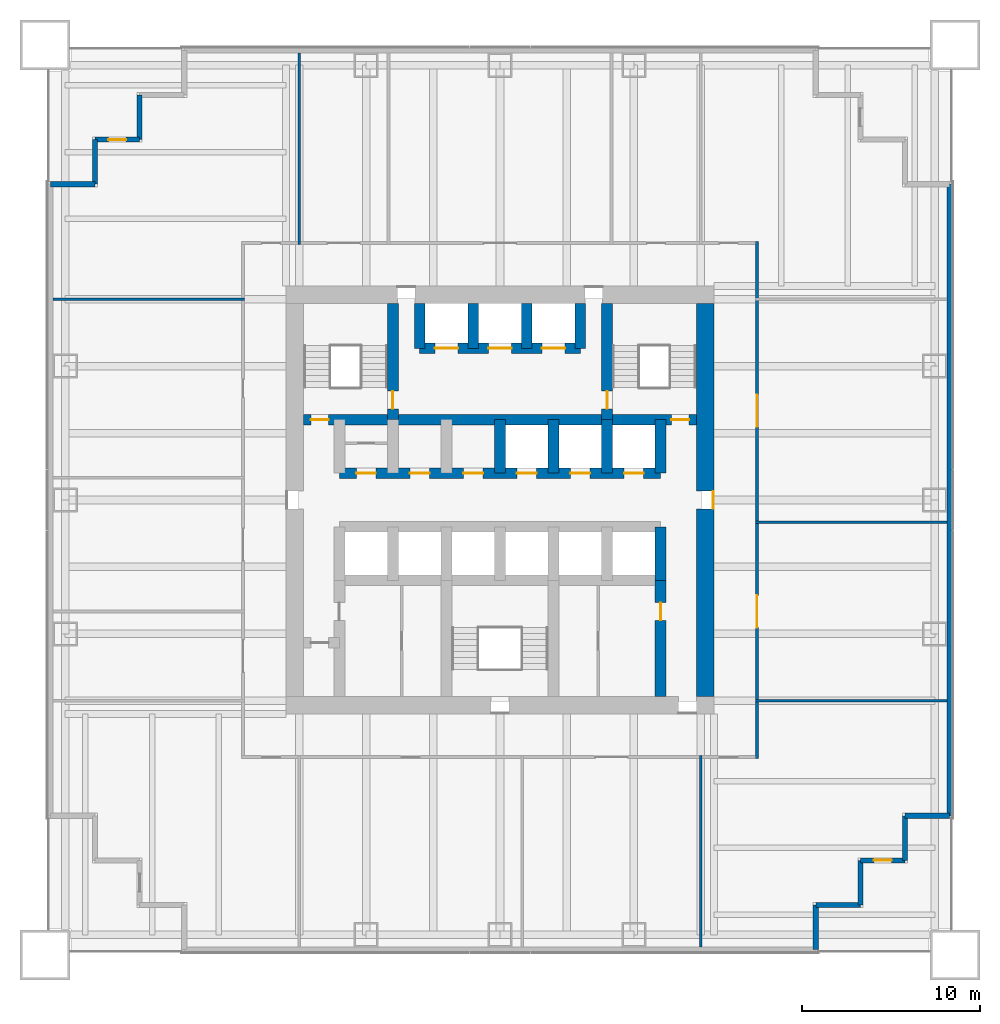
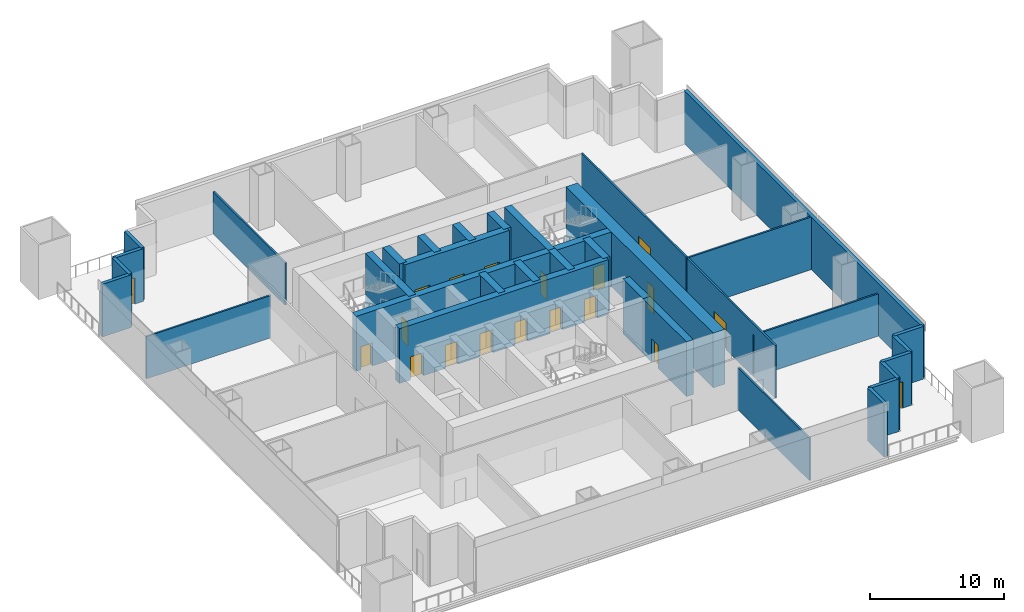
# One storey, part 3 of 6: 33 walls, 19 doors, 19 openings.
"""IFC4 building model written with IfcOpenShell, lengths in metres."""

from ifc_helpers import new_model, si_unit, direction, frame, frame_2d, origin, place, context, subcontext, project, spatial, rectangle, extrude, material, layer, layer_set, type_object, element, fill, save


model = new_model("IFC4")

# Units and contexts
model_context = context("Model", 3, precision=1e-05, world=origin(), true_north=direction((0.0, 1.0)))
body_context = subcontext(model_context, "Body", "Model", "MODEL_VIEW")
ifc_project = project(units=[si_unit("LENGTHUNIT", "METRE"), si_unit("AREAUNIT", "SQUARE_METRE"), si_unit("VOLUMEUNIT", "CUBIC_METRE"), si_unit("PLANEANGLEUNIT", "RADIAN"), si_unit("MASSUNIT", "GRAM", prefix="KILO")], contexts=[model_context])

# Site, building, storey
site_placement = place(None, origin())
site = spatial("IfcSite", under=ifc_project, at=site_placement, CompositionType="ELEMENT")
building_placement = place(site_placement, origin())
building = spatial("IfcBuilding", under=site, at=building_placement, Name="Tarangal Relay Tower", CompositionType="ELEMENT")
storey_placement = place(building_placement, frame((0.0, 0.0, 73.39990234375)))
storey = spatial("IfcBuildingStorey", under=building, at=storey_placement, Name="L14", CompositionType="ELEMENT", Elevation=73.39990234375)

# Wall, openings, doors
ifc_material_1 = material(Name="Concrete fc' 60 MPa", Category="concrete")
ifc_layer_1 = layer(ifc_material_1, 0.60009765625)
ifc_layer_set_1 = layer_set([ifc_layer_1], Name="Core inner wall 600")
wall_type_1 = type_object("IfcWallType", Name="Core inner wall 600", PredefinedType="SHEAR", material=ifc_layer_set_1)
wall_1_placement = place(storey_placement, frame((-11.0, 4.5, 0.0), z_axis=(0.0, 0.0, 1.0), x_axis=(1.0, 0.0, 0.0)))
wall_1 = element("IfcWall", 1, at=wall_1_placement, inside=storey, type_object=wall_type_1, Name="Core wall Y45 L14", PredefinedType="SHEAR", context=body_context, shape_type="SweptSolid", body=[
    extrude(rectangle(XDim=22.0, YDim=0.60009765625, at=frame_2d((11.0, 0.0))), origin(), (0.0, 0.0, 1.0), 5.0),
])
opening_1_placement = place(wall_1_placement, frame((0.39990234375, 0.0, 0.0)))
opening_1 = element("IfcOpeningElement", 2, at=opening_1_placement, cuts=wall_1, Name="Opening FD1", PredefinedType="OPENING", context=body_context, shape_type="SweptSolid", body=[
    extrude(rectangle(XDim=1.0, YDim=2.10009765625, at=frame_2d((0.5, 1.050048828125))), frame((0.0, 0.31005859375, 0.0), z_axis=(0.0, -1.0, 0.0), x_axis=(1.0, 0.0, 0.0)), (0.0, 0.0, 1.0), 0.6201171875),
])
opening_2_placement = place(wall_1_placement, frame((20.60009765625, 0.0, 0.0)))
opening_2 = element("IfcOpeningElement", 3, at=opening_2_placement, cuts=wall_1, Name="Opening FD1", PredefinedType="OPENING", context=body_context, shape_type="SweptSolid", body=[
    extrude(rectangle(XDim=1.0, YDim=2.10009765625, at=frame_2d((0.5, 1.050048828125))), frame((0.0, 0.31005859375, 0.0), z_axis=(0.0, -1.0, 0.0), x_axis=(1.0, 0.0, 0.0)), (0.0, 0.0, 1.0), 0.6201171875),
])
ifc_material_2 = material(Name="Steel door with hardwood frame", Category="steel")
door_type_1 = type_object("IfcDoorType", Name="Fire door 1000 x 2100", OperationType="SINGLE_SWING_LEFT", PredefinedType="DOOR", material=ifc_material_2)
door_1_placement = place(opening_1_placement, origin())
door_1 = element("IfcDoor", 4, at=door_1_placement, inside=storey, type_object=door_type_1, Name="Stair ST-A door from corridor L14", OperationType="SINGLE_SWING_LEFT", OverallHeight=2.10009765625, OverallWidth=1.0, PredefinedType="DOOR", context=body_context, shape_type="SweptSolid", body=[
    extrude(rectangle(XDim=1.0, YDim=2.10009765625, at=frame_2d((0.5, 1.050048828125))), frame((0.0, 0.02490234375, 0.0), z_axis=(0.0, -1.0, 0.0), x_axis=(1.0, 0.0, 0.0)), (0.0, 0.0, 1.0), 0.050048828125),
])
fill(opening_1, door_1)
door_2_placement = place(opening_2_placement, origin())
door_2 = element("IfcDoor", 5, at=door_2_placement, inside=storey, type_object=door_type_1, Name="Stair ST-B door from corridor L14", OperationType="SINGLE_SWING_LEFT", OverallHeight=2.10009765625, OverallWidth=1.0, PredefinedType="DOOR", context=body_context, shape_type="SweptSolid", body=[
    extrude(rectangle(XDim=1.0, YDim=2.10009765625, at=frame_2d((0.5, 1.050048828125))), frame((0.0, 0.02490234375, 0.0), z_axis=(0.0, -1.0, 0.0), x_axis=(1.0, 0.0, 0.0)), (0.0, 0.0, 1.0), 0.050048828125),
])
fill(opening_2, door_2)

wall_2_placement = place(storey_placement, frame((-9.0, 1.5, 0.0), z_axis=(0.0, 0.0, 1.0), x_axis=(1.0, 0.0, 0.0)))
wall_2 = element("IfcWall", 6, at=wall_2_placement, inside=storey, type_object=wall_type_1, Name="Core wall Y15 L14", PredefinedType="SHEAR", context=body_context, shape_type="SweptSolid", body=[
    extrude(rectangle(XDim=18.0, YDim=0.60009765625, at=frame_2d((9.0, 0.0))), origin(), (0.0, 0.0, 1.0), 5.0),
])
opening_3_placement = place(wall_2_placement, frame((9.949951171875, 0.0, 0.0)))
opening_3 = element("IfcOpeningElement", 7, at=opening_3_placement, cuts=wall_2, Name="Opening LD1", PredefinedType="OPENING", context=body_context, shape_type="SweptSolid", body=[
    extrude(rectangle(XDim=1.10009765625, YDim=2.10009765625, at=frame_2d((0.550048828125, 1.050048828125))), frame((0.0, 0.31005859375, 0.0), z_axis=(0.0, -1.0, 0.0), x_axis=(1.0, 0.0, 0.0)), (0.0, 0.0, 1.0), 0.6201171875),
])
opening_4_placement = place(wall_2_placement, frame((12.949951171875, 0.0, 0.0)))
opening_4 = element("IfcOpeningElement", 8, at=opening_4_placement, cuts=wall_2, Name="Opening LD1", PredefinedType="OPENING", context=body_context, shape_type="SweptSolid", body=[
    extrude(rectangle(XDim=1.10009765625, YDim=2.10009765625, at=frame_2d((0.550048828125, 1.050048828125))), frame((0.0, 0.31005859375, 0.0), z_axis=(0.0, -1.0, 0.0), x_axis=(1.0, 0.0, 0.0)), (0.0, 0.0, 1.0), 0.6201171875),
])
opening_5_placement = place(wall_2_placement, frame((15.949951171875, 0.0, 0.0)))
opening_5 = element("IfcOpeningElement", 9, at=opening_5_placement, cuts=wall_2, Name="Opening LD1", PredefinedType="OPENING", context=body_context, shape_type="SweptSolid", body=[
    extrude(rectangle(XDim=1.10009765625, YDim=2.10009765625, at=frame_2d((0.550048828125, 1.050048828125))), frame((0.0, 0.31005859375, 0.0), z_axis=(0.0, -1.0, 0.0), x_axis=(1.0, 0.0, 0.0)), (0.0, 0.0, 1.0), 0.6201171875),
])
opening_6_placement = place(wall_2_placement, frame((0.949951171875, 0.0, 0.0)))
opening_6 = element("IfcOpeningElement", 10, at=opening_6_placement, cuts=wall_2, Name="Opening D4", PredefinedType="OPENING", context=body_context, shape_type="SweptSolid", body=[
    extrude(rectangle(XDim=1.10009765625, YDim=2.10009765625, at=frame_2d((0.550048828125, 1.050048828125))), frame((0.0, 0.31005859375, 0.0), z_axis=(0.0, -1.0, 0.0), x_axis=(1.0, 0.0, 0.0)), (0.0, 0.0, 1.0), 0.6201171875),
])
opening_7_placement = place(wall_2_placement, frame((3.949951171875, 0.0, 0.0)))
opening_7 = element("IfcOpeningElement", 11, at=opening_7_placement, cuts=wall_2, Name="Opening D4", PredefinedType="OPENING", context=body_context, shape_type="SweptSolid", body=[
    extrude(rectangle(XDim=1.10009765625, YDim=2.10009765625, at=frame_2d((0.550048828125, 1.050048828125))), frame((0.0, 0.31005859375, 0.0), z_axis=(0.0, -1.0, 0.0), x_axis=(1.0, 0.0, 0.0)), (0.0, 0.0, 1.0), 0.6201171875),
])
opening_8_placement = place(wall_2_placement, frame((6.949951171875, 0.0, 0.0)))
opening_8 = element("IfcOpeningElement", 12, at=opening_8_placement, cuts=wall_2, Name="Opening D4", PredefinedType="OPENING", context=body_context, shape_type="SweptSolid", body=[
    extrude(rectangle(XDim=1.10009765625, YDim=2.10009765625, at=frame_2d((0.550048828125, 1.050048828125))), frame((0.0, 0.31005859375, 0.0), z_axis=(0.0, -1.0, 0.0), x_axis=(1.0, 0.0, 0.0)), (0.0, 0.0, 1.0), 0.6201171875),
])
door_type_2 = type_object("IfcDoorType", Name="Core room door 1100 x 2100", OperationType="SINGLE_SWING_RIGHT", PredefinedType="DOOR", material=ifc_material_2)
door_3_placement = place(opening_6_placement, origin())
door_3 = element("IfcDoor", 13, at=door_3_placement, inside=storey, type_object=door_type_2, Name="Door D4 to staff pantry L14-D1", OperationType="SINGLE_SWING_RIGHT", OverallHeight=2.10009765625, OverallWidth=1.10009765625, PredefinedType="DOOR", context=body_context, shape_type="SweptSolid", body=[
    extrude(rectangle(XDim=1.10009765625, YDim=2.10009765625, at=frame_2d((0.550048828125, 1.050048828125))), frame((0.0, 0.02490234375, 0.0), z_axis=(0.0, -1.0, 0.0), x_axis=(1.0, 0.0, 0.0)), (0.0, 0.0, 1.0), 0.050048828125),
])
fill(opening_6, door_3)
door_4_placement = place(opening_7_placement, origin())
door_4 = element("IfcDoor", 14, at=door_4_placement, inside=storey, type_object=door_type_2, Name="Door D4 to staff wc L14-D2", OperationType="SINGLE_SWING_RIGHT", OverallHeight=2.10009765625, OverallWidth=1.10009765625, PredefinedType="DOOR", context=body_context, shape_type="SweptSolid", body=[
    extrude(rectangle(XDim=1.10009765625, YDim=2.10009765625, at=frame_2d((0.550048828125, 1.050048828125))), frame((0.0, 0.02490234375, 0.0), z_axis=(0.0, -1.0, 0.0), x_axis=(1.0, 0.0, 0.0)), (0.0, 0.0, 1.0), 0.050048828125),
])
fill(opening_7, door_4)
door_5_placement = place(opening_8_placement, origin())
door_5 = element("IfcDoor", 15, at=door_5_placement, inside=storey, type_object=door_type_2, Name="Door D4 to cleaner's store L14-D3", OperationType="SINGLE_SWING_RIGHT", OverallHeight=2.10009765625, OverallWidth=1.10009765625, PredefinedType="DOOR", context=body_context, shape_type="SweptSolid", body=[
    extrude(rectangle(XDim=1.10009765625, YDim=2.10009765625, at=frame_2d((0.550048828125, 1.050048828125))), frame((0.0, 0.02490234375, 0.0), z_axis=(0.0, -1.0, 0.0), x_axis=(1.0, 0.0, 0.0)), (0.0, 0.0, 1.0), 0.050048828125),
])
fill(opening_8, door_5)
door_type_3 = type_object("IfcDoorType", Name="Lift landing door 1100 x 2100", OperationType="SLIDING_TO_LEFT", PredefinedType="DOOR", material=ifc_material_2)
door_6_placement = place(opening_3_placement, origin())
door_6 = element("IfcDoor", 16, at=door_6_placement, inside=storey, type_object=door_type_3, Name="Lift T1 landing door L14", OperationType="SLIDING_TO_LEFT", OverallHeight=2.10009765625, OverallWidth=1.10009765625, PredefinedType="DOOR", context=body_context, shape_type="SweptSolid", body=[
    extrude(rectangle(XDim=1.10009765625, YDim=2.10009765625, at=frame_2d((0.550048828125, 1.050048828125))), frame((0.0, 0.02490234375, 0.0), z_axis=(0.0, -1.0, 0.0), x_axis=(1.0, 0.0, 0.0)), (0.0, 0.0, 1.0), 0.050048828125),
])
fill(opening_3, door_6)
door_7_placement = place(opening_4_placement, origin())
door_7 = element("IfcDoor", 17, at=door_7_placement, inside=storey, type_object=door_type_3, Name="Lift T2 landing door L14", OperationType="SLIDING_TO_LEFT", OverallHeight=2.10009765625, OverallWidth=1.10009765625, PredefinedType="DOOR", context=body_context, shape_type="SweptSolid", body=[
    extrude(rectangle(XDim=1.10009765625, YDim=2.10009765625, at=frame_2d((0.550048828125, 1.050048828125))), frame((0.0, 0.02490234375, 0.0), z_axis=(0.0, -1.0, 0.0), x_axis=(1.0, 0.0, 0.0)), (0.0, 0.0, 1.0), 0.050048828125),
])
fill(opening_4, door_7)
door_8_placement = place(opening_5_placement, origin())
door_8 = element("IfcDoor", 18, at=door_8_placement, inside=storey, type_object=door_type_3, Name="Lift T3 landing door L14", OperationType="SLIDING_TO_LEFT", OverallHeight=2.10009765625, OverallWidth=1.10009765625, PredefinedType="DOOR", context=body_context, shape_type="SweptSolid", body=[
    extrude(rectangle(XDim=1.10009765625, YDim=2.10009765625, at=frame_2d((0.550048828125, 1.050048828125))), frame((0.0, 0.02490234375, 0.0), z_axis=(0.0, -1.0, 0.0), x_axis=(1.0, 0.0, 0.0)), (0.0, 0.0, 1.0), 0.050048828125),
])
fill(opening_5, door_8)

wall_3_placement = place(storey_placement, frame((-4.5, 8.5, 0.0), z_axis=(0.0, 0.0, 1.0), x_axis=(1.0, 0.0, 0.0)))
wall_3 = element("IfcWall", 19, at=wall_3_placement, inside=storey, type_object=wall_type_1, Name="Core wall Y85 L14", PredefinedType="SHEAR", context=body_context, shape_type="SweptSolid", body=[
    extrude(rectangle(XDim=9.0, YDim=0.60009765625, at=frame_2d((4.5, 0.0))), origin(), (0.0, 0.0, 1.0), 5.0),
])
opening_9_placement = place(wall_3_placement, frame((0.85009765625, 0.0, 0.0)))
opening_9 = element("IfcOpeningElement", 20, at=opening_9_placement, cuts=wall_3, Name="Opening LD2", PredefinedType="OPENING", context=body_context, shape_type="SweptSolid", body=[
    extrude(rectangle(XDim=1.300048828125, YDim=2.39990234375, at=frame_2d((0.64990234375, 1.199951171875))), frame((0.0, 0.31005859375, 0.0), z_axis=(0.0, -1.0, 0.0), x_axis=(1.0, 0.0, 0.0)), (0.0, 0.0, 1.0), 0.6201171875),
])
opening_10_placement = place(wall_3_placement, frame((6.85009765625, 0.0, 0.0)))
opening_10 = element("IfcOpeningElement", 21, at=opening_10_placement, cuts=wall_3, Name="Opening LD2", PredefinedType="OPENING", context=body_context, shape_type="SweptSolid", body=[
    extrude(rectangle(XDim=1.300048828125, YDim=2.39990234375, at=frame_2d((0.64990234375, 1.199951171875))), frame((0.0, 0.31005859375, 0.0), z_axis=(0.0, -1.0, 0.0), x_axis=(1.0, 0.0, 0.0)), (0.0, 0.0, 1.0), 0.6201171875),
])
opening_11_placement = place(wall_3_placement, frame((3.85009765625, 0.0, 0.0)))
opening_11 = element("IfcOpeningElement", 22, at=opening_11_placement, cuts=wall_3, Name="Opening LD2", PredefinedType="OPENING", context=body_context, shape_type="SweptSolid", body=[
    extrude(rectangle(XDim=1.300048828125, YDim=2.39990234375, at=frame_2d((0.64990234375, 1.199951171875))), frame((0.0, 0.31005859375, 0.0), z_axis=(0.0, -1.0, 0.0), x_axis=(1.0, 0.0, 0.0)), (0.0, 0.0, 1.0), 0.6201171875),
])
door_type_4 = type_object("IfcDoorType", Name="Lift landing door 1300 x 2400", OperationType="SLIDING_TO_LEFT", PredefinedType="DOOR", material=ifc_material_2)
door_9_placement = place(opening_9_placement, origin())
door_9 = element("IfcDoor", 23, at=door_9_placement, inside=storey, type_object=door_type_4, Name="Lift FF1 landing door L14", OperationType="SLIDING_TO_LEFT", OverallHeight=2.39990234375, OverallWidth=1.300048828125, PredefinedType="DOOR", context=body_context, shape_type="SweptSolid", body=[
    extrude(rectangle(XDim=1.300048828125, YDim=2.39990234375, at=frame_2d((0.64990234375, 1.199951171875))), frame((0.0, 0.02490234375, 0.0), z_axis=(0.0, -1.0, 0.0), x_axis=(1.0, 0.0, 0.0)), (0.0, 0.0, 1.0), 0.050048828125),
])
fill(opening_9, door_9)
door_10_placement = place(opening_10_placement, origin())
door_10 = element("IfcDoor", 24, at=door_10_placement, inside=storey, type_object=door_type_4, Name="Lift FF2 landing door L14", OperationType="SLIDING_TO_LEFT", OverallHeight=2.39990234375, OverallWidth=1.300048828125, PredefinedType="DOOR", context=body_context, shape_type="SweptSolid", body=[
    extrude(rectangle(XDim=1.300048828125, YDim=2.39990234375, at=frame_2d((0.64990234375, 1.199951171875))), frame((0.0, 0.02490234375, 0.0), z_axis=(0.0, -1.0, 0.0), x_axis=(1.0, 0.0, 0.0)), (0.0, 0.0, 1.0), 0.050048828125),
])
fill(opening_10, door_10)
door_11_placement = place(opening_11_placement, origin())
door_11 = element("IfcDoor", 25, at=door_11_placement, inside=storey, type_object=door_type_4, Name="Lift SV1 landing door L14", OperationType="SLIDING_TO_LEFT", OverallHeight=2.39990234375, OverallWidth=1.300048828125, PredefinedType="DOOR", context=body_context, shape_type="SweptSolid", body=[
    extrude(rectangle(XDim=1.300048828125, YDim=2.39990234375, at=frame_2d((0.64990234375, 1.199951171875))), frame((0.0, 0.02490234375, 0.0), z_axis=(0.0, -1.0, 0.0), x_axis=(1.0, 0.0, 0.0)), (0.0, 0.0, 1.0), 0.050048828125),
])
fill(opening_11, door_11)

# Walls
for number, where, z_axis, x_axis, name in (
    (26, (9.0, 1.5, 0.0), (0.0, 0.0, 1.0), (0.0, 1.0, 0.0), "Core wall X9N L14"),
    (27, (9.0, -4.5, 0.0), (0.0, 0.0, 1.0), (0.0, 1.0, 0.0), "Core wall X9S L14"),
    (28, (0.0, 1.5, 0.0), (0.0, 0.0, 1.0), (0.0, 1.0, 0.0), "Core wall X0N L14"),
    (29, (3.0, 1.5, 0.0), (0.0, 0.0, 1.0), (0.0, 1.0, 0.0), "Core wall X3N L14"),
    (30, (6.0, 1.5, 0.0), (0.0, 0.0, 1.0), (0.0, 1.0, 0.0), "Core wall X6N L14"),
):
    element("IfcWall", number, at=place(storey_placement, frame(where, z_axis=z_axis, x_axis=x_axis)), inside=storey, type_object=wall_type_1, Name=name, PredefinedType="SHEAR", context=body_context, shape_type="SweptSolid", body=[
        extrude(rectangle(XDim=3.0, YDim=0.60009765625, at=frame_2d((1.5, 0.0))), origin(), (0.0, 0.0, 1.0), 5.0),
    ])

# Wall, opening, door
wall_4_placement = place(storey_placement, frame((-6.0, 4.5, 0.0), z_axis=(0.0, 0.0, 1.0), x_axis=(0.0, 1.0, 0.0)))
wall_4 = element("IfcWall", 31, at=wall_4_placement, inside=storey, type_object=wall_type_1, Name="Core wall XM6 L14", PredefinedType="SHEAR", context=body_context, shape_type="SweptSolid", body=[
    extrude(rectangle(XDim=6.5, YDim=0.60009765625, at=frame_2d((3.25, 0.0))), origin(), (0.0, 0.0, 1.0), 5.0),
])
opening_12_placement = place(wall_4_placement, frame((0.60009765625, 0.0, 0.0)))
opening_12 = element("IfcOpeningElement", 32, at=opening_12_placement, cuts=wall_4, Name="Opening FD1", PredefinedType="OPENING", context=body_context, shape_type="SweptSolid", body=[
    extrude(rectangle(XDim=1.0, YDim=2.10009765625, at=frame_2d((0.5, 1.050048828125))), frame((0.0, 0.31005859375, 0.0), z_axis=(0.0, -1.0, 0.0), x_axis=(1.0, 0.0, 0.0)), (0.0, 0.0, 1.0), 0.6201171875),
])
door_12_placement = place(opening_12_placement, origin())
door_12 = element("IfcDoor", 33, at=door_12_placement, inside=storey, type_object=door_type_1, Name="Stair ST-A door from fire-fighting lobby L14", OperationType="SINGLE_SWING_LEFT", OverallHeight=2.10009765625, OverallWidth=1.0, PredefinedType="DOOR", context=body_context, shape_type="SweptSolid", body=[
    extrude(rectangle(XDim=1.0, YDim=2.10009765625, at=frame_2d((0.5, 1.050048828125))), frame((0.0, 0.02490234375, 0.0), z_axis=(0.0, -1.0, 0.0), x_axis=(1.0, 0.0, 0.0)), (0.0, 0.0, 1.0), 0.050048828125),
])
fill(opening_12, door_12)

wall_5_placement = place(storey_placement, frame((6.0, 4.5, 0.0), z_axis=(0.0, 0.0, 1.0), x_axis=(0.0, 1.0, 0.0)))
wall_5 = element("IfcWall", 34, at=wall_5_placement, inside=storey, type_object=wall_type_1, Name="Core wall X6 L14", PredefinedType="SHEAR", context=body_context, shape_type="SweptSolid", body=[
    extrude(rectangle(XDim=6.5, YDim=0.60009765625, at=frame_2d((3.25, 0.0))), origin(), (0.0, 0.0, 1.0), 5.0),
])
opening_13_placement = place(wall_5_placement, frame((0.60009765625, 0.0, 0.0)))
opening_13 = element("IfcOpeningElement", 35, at=opening_13_placement, cuts=wall_5, Name="Opening FD1", PredefinedType="OPENING", context=body_context, shape_type="SweptSolid", body=[
    extrude(rectangle(XDim=1.0, YDim=2.10009765625, at=frame_2d((0.5, 1.050048828125))), frame((0.0, 0.31005859375, 0.0), z_axis=(0.0, -1.0, 0.0), x_axis=(1.0, 0.0, 0.0)), (0.0, 0.0, 1.0), 0.6201171875),
])
door_13_placement = place(opening_13_placement, origin())
door_13 = element("IfcDoor", 36, at=door_13_placement, inside=storey, type_object=door_type_1, Name="Stair ST-B door from fire-fighting lobby L14", OperationType="SINGLE_SWING_LEFT", OverallHeight=2.10009765625, OverallWidth=1.0, PredefinedType="DOOR", context=body_context, shape_type="SweptSolid", body=[
    extrude(rectangle(XDim=1.0, YDim=2.10009765625, at=frame_2d((0.5, 1.050048828125))), frame((0.0, 0.02490234375, 0.0), z_axis=(0.0, -1.0, 0.0), x_axis=(1.0, 0.0, 0.0)), (0.0, 0.0, 1.0), 0.050048828125),
])
fill(opening_13, door_13)

# Walls
for number, where, z_axis, x_axis, name in (
    (37, (-4.5, 8.5, 0.0), (0.0, 0.0, 1.0), (0.0, 1.0, 0.0), "Core wall XM45 L14"),
    (38, (4.5, 8.5, 0.0), (0.0, 0.0, 1.0), (0.0, 1.0, 0.0), "Core wall X45 L14"),
    (39, (-1.5, 8.5, 0.0), (0.0, 0.0, 1.0), (0.0, 1.0, 0.0), "Core wall XM15 L14"),
    (40, (1.5, 8.5, 0.0), (0.0, 0.0, 1.0), (0.0, 1.0, 0.0), "Core wall X15 L14"),
):
    element("IfcWall", number, at=place(storey_placement, frame(where, z_axis=z_axis, x_axis=x_axis)), inside=storey, type_object=wall_type_1, Name=name, PredefinedType="SHEAR", context=body_context, shape_type="SweptSolid", body=[
        extrude(rectangle(XDim=2.5, YDim=0.60009765625, at=frame_2d((1.25, 0.0))), origin(), (0.0, 0.0, 1.0), 5.0),
    ])

# Wall, opening, door
wall_6_placement = place(storey_placement, frame((9.0, -11.0, 0.0), z_axis=(0.0, 0.0, 1.0), x_axis=(0.0, 1.0, 0.0)))
wall_6 = element("IfcWall", 41, at=wall_6_placement, inside=storey, type_object=wall_type_1, Name="Core wall X9W L14", PredefinedType="SHEAR", context=body_context, shape_type="SweptSolid", body=[
    extrude(rectangle(XDim=6.5, YDim=0.60009765625, at=frame_2d((3.25, 0.0))), origin(), (0.0, 0.0, 1.0), 5.0),
])
opening_14_placement = place(wall_6_placement, frame((4.25, 0.0, 0.0)))
opening_14 = element("IfcOpeningElement", 42, at=opening_14_placement, cuts=wall_6, Name="Opening D1", PredefinedType="OPENING", context=body_context, shape_type="SweptSolid", body=[
    extrude(rectangle(XDim=1.0, YDim=2.10009765625, at=frame_2d((0.5, 1.050048828125))), frame((0.0, 0.31005859375, 0.0), z_axis=(0.0, -1.0, 0.0), x_axis=(1.0, 0.0, 0.0)), (0.0, 0.0, 1.0), 0.6201171875),
])
ifc_material_3 = material(Name="Hardwood door", Category="wood")
door_type_5 = type_object("IfcDoorType", Name="WC door 1000 x 2100", OperationType="SINGLE_SWING_LEFT", PredefinedType="DOOR", material=ifc_material_3)
door_14_placement = place(opening_14_placement, origin())
door_14 = element("IfcDoor", 43, at=door_14_placement, inside=storey, type_object=door_type_5, Name="Female WC door L14", OperationType="SINGLE_SWING_LEFT", OverallHeight=2.10009765625, OverallWidth=1.0, PredefinedType="DOOR", context=body_context, shape_type="SweptSolid", body=[
    extrude(rectangle(XDim=1.0, YDim=2.10009765625, at=frame_2d((0.5, 1.050048828125))), frame((0.0, 0.02490234375, 0.0), z_axis=(0.0, -1.0, 0.0), x_axis=(1.0, 0.0, 0.0)), (0.0, 0.0, 1.0), 0.050048828125),
])
fill(opening_14, door_14)

ifc_layer_2 = layer(ifc_material_1, 1.0)
ifc_layer_set_2 = layer_set([ifc_layer_2], Name="Core wall 1000")
wall_type_2 = type_object("IfcWallType", Name="Core wall 1000", PredefinedType="SHEAR", material=ifc_layer_set_2)
wall_7_placement = place(storey_placement, frame((11.5, 11.0, 0.0), z_axis=(0.0, 0.0, 1.0), x_axis=(0.0, -1.0, 0.0)))
wall_7 = element("IfcWall", 44, at=wall_7_placement, inside=storey, type_object=wall_type_2, Name="Core wall E L14", PredefinedType="SHEAR", context=body_context, shape_type="SweptSolid", body=[
    extrude(rectangle(XDim=22.0, YDim=1.0, at=frame_2d((11.0, 0.0))), origin(), (0.0, 0.0, 1.0), 5.0),
])
opening_15_placement = place(wall_7_placement, frame((10.5, 0.0, 0.0)))
opening_15 = element("IfcOpeningElement", 45, at=opening_15_placement, cuts=wall_7, Name="Opening FD3", PredefinedType="OPENING", context=body_context, shape_type="SweptSolid", body=[
    extrude(rectangle(XDim=1.0, YDim=2.39990234375, at=frame_2d((0.5, 1.199951171875))), frame((0.0, 0.510009765625, 0.0), z_axis=(0.0, -1.0, 0.0), x_axis=(1.0, 0.0, 0.0)), (0.0, 0.0, 1.0), 1.02001953125),
])
door_type_6 = type_object("IfcDoorType", Name="Fire door 1000 x 2400 core entry", OperationType="SINGLE_SWING_RIGHT", PredefinedType="DOOR", material=ifc_material_2)
door_15_placement = place(opening_15_placement, origin())
door_15 = element("IfcDoor", 46, at=door_15_placement, inside=storey, type_object=door_type_6, Name="Core entry door east L14", OperationType="SINGLE_SWING_RIGHT", OverallHeight=2.39990234375, OverallWidth=1.0, PredefinedType="DOOR", context=body_context, shape_type="SweptSolid", body=[
    extrude(rectangle(XDim=1.0, YDim=2.39990234375, at=frame_2d((0.5, 1.199951171875))), frame((0.0, 0.48486328125, 0.0), z_axis=(0.0, -1.0, 0.0), x_axis=(1.0, 0.0, 0.0)), (0.0, 0.0, 1.0), 0.050048828125),
])
fill(opening_15, door_15)

# Walls
ifc_material_4 = material(Name="Insulated precast concrete fc' 40 MPa", Category="concrete")
ifc_layer_3 = layer(ifc_material_4, 0.300048828125)
ifc_layer_set_3 = layer_set([ifc_layer_3], Name="Insulated precast concrete fc' 40 MPa")
wall_type_3 = type_object("IfcWallType", Name="Facade wall precast 300", PredefinedType="SOLIDWALL", material=ifc_layer_set_3)
wall_8_placement = place(storey_placement, frame((25.199951171875, 17.699951171875, 0.0), z_axis=(0.0, 0.0, 1.0), x_axis=(0.0, -1.0, 0.0)))
element("IfcWall", 47, at=wall_8_placement, inside=storey, type_object=wall_type_3, Name="Facade wall E facade L14", PredefinedType="SOLIDWALL", context=body_context, shape_type="SweptSolid", body=[
    extrude(rectangle(XDim=35.39990234375, YDim=0.300048828125, at=frame_2d((17.699951171875, 0.0))), origin(), (0.0, 0.0, 1.0), 4.800048828125),
])
for number, where, z_axis, x_axis, name in (
    (48, (25.199951171875, -17.699951171875, 0.0), (0.0, 0.0, 1.0), (-1.0, 0.0, 0.0), "Facade wall E facade L14"),
    (49, (22.699951171875, -17.699951171875, 0.0), (0.0, 0.0, 1.0), (0.0, -1.0, 0.0), "Facade wall E facade L14"),
):
    element("IfcWall", number, at=place(storey_placement, frame(where, z_axis=z_axis, x_axis=x_axis)), inside=storey, type_object=wall_type_3, Name=name, PredefinedType="SOLIDWALL", context=body_context, shape_type="SweptSolid", body=[
        extrude(rectangle(XDim=2.5, YDim=0.300048828125, at=frame_2d((1.25, 0.0))), origin(), (0.0, 0.0, 1.0), 4.800048828125),
    ])

# Wall, opening, door
wall_9_placement = place(storey_placement, frame((22.699951171875, -20.199951171875, 0.0), z_axis=(0.0, 0.0, 1.0), x_axis=(-1.0, 0.0, 0.0)))
wall_9 = element("IfcWall", 50, at=wall_9_placement, inside=storey, type_object=wall_type_3, Name="Facade wall E facade L14", PredefinedType="SOLIDWALL", context=body_context, shape_type="SweptSolid", body=[
    extrude(rectangle(XDim=2.5, YDim=0.300048828125, at=frame_2d((1.25, 0.0))), origin(), (0.0, 0.0, 1.0), 4.800048828125),
])
opening_16_placement = place(wall_9_placement, frame((0.75, 0.0, 0.0)))
opening_16 = element("IfcOpeningElement", 51, at=opening_16_placement, cuts=wall_9, Name="Opening TD1", PredefinedType="OPENING", context=body_context, shape_type="SweptSolid", body=[
    extrude(rectangle(XDim=1.0, YDim=2.39990234375, at=frame_2d((0.5, 1.199951171875))), frame((0.0, 0.159912109375, 0.0), z_axis=(0.0, -1.0, 0.0), x_axis=(1.0, 0.0, 0.0)), (0.0, 0.0, 1.0), 0.320068359375),
])
ifc_material_5 = material(Name="Aluminium glazed door", Category="aluminium")
door_type_7 = type_object("IfcDoorType", Name="Terrace door 1000 x 2400", OperationType="SINGLE_SWING_RIGHT", PredefinedType="DOOR", material=ifc_material_5)
door_16_placement = place(opening_16_placement, origin())
door_16 = element("IfcDoor", 52, at=door_16_placement, inside=storey, type_object=door_type_7, Name="Terrace door TD1 SE L14", OperationType="SINGLE_SWING_RIGHT", OverallHeight=2.39990234375, OverallWidth=1.0, PredefinedType="DOOR", context=body_context, shape_type="SweptSolid", body=[
    extrude(rectangle(XDim=1.0, YDim=2.39990234375, at=frame_2d((0.5, 1.199951171875))), frame((0.0, 0.02490234375, 0.0), z_axis=(0.0, -1.0, 0.0), x_axis=(1.0, 0.0, 0.0)), (0.0, 0.0, 1.0), 0.050048828125),
])
fill(opening_16, door_16)

# Walls
for number, where, z_axis, x_axis, name in (
    (53, (20.199951171875, -20.199951171875, 0.0), (0.0, 0.0, 1.0), (0.0, -1.0, 0.0), "Facade wall E facade L14"),
    (54, (20.199951171875, -22.699951171875, 0.0), (0.0, 0.0, 1.0), (-1.0, 0.0, 0.0), "Facade wall E facade L14"),
    (55, (17.699951171875, -22.699951171875, 0.0), (0.0, 0.0, 1.0), (0.0, -1.0, 0.0), "Facade wall E facade L14"),
    (56, (-25.199951171875, 17.699951171875, 0.0), (0.0, 0.0, 1.0), (1.0, 0.0, 0.0), "Facade wall W facade L14"),
    (57, (-22.699951171875, 17.699951171875, 0.0), (0.0, 0.0, 1.0), (0.0, 1.0, 0.0), "Facade wall W facade L14"),
):
    element("IfcWall", number, at=place(storey_placement, frame(where, z_axis=z_axis, x_axis=x_axis)), inside=storey, type_object=wall_type_3, Name=name, PredefinedType="SOLIDWALL", context=body_context, shape_type="SweptSolid", body=[
        extrude(rectangle(XDim=2.5, YDim=0.300048828125, at=frame_2d((1.25, 0.0))), origin(), (0.0, 0.0, 1.0), 4.800048828125),
    ])

# Wall, opening, door
wall_10_placement = place(storey_placement, frame((-22.699951171875, 20.199951171875, 0.0), z_axis=(0.0, 0.0, 1.0), x_axis=(1.0, 0.0, 0.0)))
wall_10 = element("IfcWall", 58, at=wall_10_placement, inside=storey, type_object=wall_type_3, Name="Facade wall W facade L14", PredefinedType="SOLIDWALL", context=body_context, shape_type="SweptSolid", body=[
    extrude(rectangle(XDim=2.5, YDim=0.300048828125, at=frame_2d((1.25, 0.0))), origin(), (0.0, 0.0, 1.0), 4.800048828125),
])
opening_17_placement = place(wall_10_placement, frame((0.75, 0.0, 0.0)))
opening_17 = element("IfcOpeningElement", 59, at=opening_17_placement, cuts=wall_10, Name="Opening TD1", PredefinedType="OPENING", context=body_context, shape_type="SweptSolid", body=[
    extrude(rectangle(XDim=1.0, YDim=2.39990234375, at=frame_2d((0.5, 1.199951171875))), frame((0.0, 0.159912109375, 0.0), z_axis=(0.0, -1.0, 0.0), x_axis=(1.0, 0.0, 0.0)), (0.0, 0.0, 1.0), 0.320068359375),
])
door_17_placement = place(opening_17_placement, origin())
door_17 = element("IfcDoor", 60, at=door_17_placement, inside=storey, type_object=door_type_7, Name="Terrace door TD1 NW L14", OperationType="SINGLE_SWING_RIGHT", OverallHeight=2.39990234375, OverallWidth=1.0, PredefinedType="DOOR", context=body_context, shape_type="SweptSolid", body=[
    extrude(rectangle(XDim=1.0, YDim=2.39990234375, at=frame_2d((0.5, 1.199951171875))), frame((0.0, 0.02490234375, 0.0), z_axis=(0.0, -1.0, 0.0), x_axis=(1.0, 0.0, 0.0)), (0.0, 0.0, 1.0), 0.050048828125),
])
fill(opening_17, door_17)

# Walls
wall_11_placement = place(storey_placement, frame((-20.199951171875, 20.199951171875, 0.0), z_axis=(0.0, 0.0, 1.0), x_axis=(0.0, 1.0, 0.0)))
element("IfcWall", 61, at=wall_11_placement, inside=storey, type_object=wall_type_3, Name="Facade wall W facade L14", PredefinedType="SOLIDWALL", context=body_context, shape_type="SweptSolid", body=[
    extrude(rectangle(XDim=2.5, YDim=0.300048828125, at=frame_2d((1.25, 0.0))), origin(), (0.0, 0.0, 1.0), 4.800048828125),
])
ifc_material_6 = material(Name="Gypsum board on steel studs", Category="steel")
ifc_layer_4 = layer(ifc_material_6, 0.14990234375)
ifc_layer_set_4 = layer_set([ifc_layer_4], Name="Partition 150")
wall_type_4 = type_object("IfcWallType", Name="Partition 150", PredefinedType="PARTITIONING", material=ifc_layer_set_4)
wall_12_placement = place(storey_placement, frame((14.324951171875, -11.25, 0.0), z_axis=(0.0, 0.0, 1.0), x_axis=(1.0, 0.0, 0.0)))
element("IfcWall", 62, at=wall_12_placement, inside=storey, type_object=wall_type_4, Name="Partition PT1 L14", PredefinedType="PARTITIONING", context=body_context, shape_type="SweptSolid", body=[
    extrude(rectangle(XDim=10.72509765625, YDim=0.14990234375, at=frame_2d((5.362548828125, 0.0))), origin(), (0.0, 0.0, 1.0), 3.852783203125),
])
wall_13_placement = place(storey_placement, frame((14.324951171875, -1.25, 0.0), z_axis=(0.0, 0.0, 1.0), x_axis=(1.0, 0.0, 0.0)))
element("IfcWall", 63, at=wall_13_placement, inside=storey, type_object=wall_type_4, Name="Partition PT1 L14", PredefinedType="PARTITIONING", context=body_context, shape_type="SweptSolid", body=[
    extrude(rectangle(XDim=10.72509765625, YDim=0.14990234375, at=frame_2d((5.362548828125, 0.0))), origin(), (0.0, 0.0, 1.0), 4.800048828125),
])
for number, where, z_axis, x_axis, name in (
    (64, (-25.050048828125, 11.25, 0.0), (0.0, 0.0, 1.0), (1.0, 0.0, 0.0), "Partition PT1 L14"),
    (65, (-11.25, 14.324951171875, 0.0), (0.0, 0.0, 1.0), (0.0, 1.0, 0.0), "Partition PT1 L14"),
    (66, (11.25, -25.050048828125, 0.0), (0.0, 0.0, 1.0), (0.0, 1.0, 0.0), "Partition PT1 L14"),
):
    element("IfcWall", number, at=place(storey_placement, frame(where, z_axis=z_axis, x_axis=x_axis)), inside=storey, type_object=wall_type_4, Name=name, PredefinedType="PARTITIONING", context=body_context, shape_type="SweptSolid", body=[
        extrude(rectangle(XDim=10.72509765625, YDim=0.14990234375, at=frame_2d((5.362548828125, 0.0))), origin(), (0.0, 0.0, 1.0), 3.852783203125),
    ])

# Wall, openings, doors
wall_14_placement = place(storey_placement, frame((14.39990234375, -14.47509765625, 0.0), z_axis=(0.0, 0.0, 1.0), x_axis=(0.0, 1.0, 0.0)))
wall_14 = element("IfcWall", 67, at=wall_14_placement, inside=storey, type_object=wall_type_4, Name="Partition PT1 L14", PredefinedType="PARTITIONING", context=body_context, shape_type="SweptSolid", body=[
    extrude(rectangle(XDim=28.9501953125, YDim=0.14990234375, at=frame_2d((14.47509765625, 0.0))), origin(), (0.0, 0.0, 1.0), 4.800048828125),
])
opening_18_placement = place(wall_14_placement, frame((18.574951171875, 0.0, 0.0)))
opening_18 = element("IfcOpeningElement", 68, at=opening_18_placement, cuts=wall_14, Name="Opening DD1", PredefinedType="OPENING", context=body_context, shape_type="SweptSolid", body=[
    extrude(rectangle(XDim=1.800048828125, YDim=2.39990234375, at=frame_2d((0.89990234375, 1.199951171875))), frame((0.0, 0.0849609375, 0.0), z_axis=(0.0, -1.0, 0.0), x_axis=(1.0, 0.0, 0.0)), (0.0, 0.0, 1.0), 0.169921875),
])
opening_19_placement = place(wall_14_placement, frame((7.324951171875, 0.0, 0.0)))
opening_19 = element("IfcOpeningElement", 69, at=opening_19_placement, cuts=wall_14, Name="Opening DD1", PredefinedType="OPENING", context=body_context, shape_type="SweptSolid", body=[
    extrude(rectangle(XDim=1.800048828125, YDim=2.39990234375, at=frame_2d((0.89990234375, 1.199951171875))), frame((0.0, 0.0849609375, 0.0), z_axis=(0.0, -1.0, 0.0), x_axis=(1.0, 0.0, 0.0)), (0.0, 0.0, 1.0), 0.169921875),
])
door_type_8 = type_object("IfcDoorType", Name="Equipment double door 1800 x 2400", OperationType="DOUBLE_DOOR_SINGLE_SWING", PredefinedType="DOOR", material=ifc_material_2)
door_18_placement = place(opening_18_placement, origin())
door_18 = element("IfcDoor", 70, at=door_18_placement, inside=storey, type_object=door_type_8, Name="Door DD1 to data hall L14-05", OperationType="DOUBLE_DOOR_SINGLE_SWING", OverallHeight=2.39990234375, OverallWidth=1.800048828125, PredefinedType="DOOR", context=body_context, shape_type="SweptSolid", body=[
    extrude(rectangle(XDim=1.800048828125, YDim=2.39990234375, at=frame_2d((0.89990234375, 1.199951171875))), frame((0.0, 0.02490234375, 0.0), z_axis=(0.0, -1.0, 0.0), x_axis=(1.0, 0.0, 0.0)), (0.0, 0.0, 1.0), 0.050048828125),
])
fill(opening_18, door_18)
door_19_placement = place(opening_19_placement, origin())
door_19 = element("IfcDoor", 71, at=door_19_placement, inside=storey, type_object=door_type_8, Name="Door DD1 to network equipment room L14-06", OperationType="DOUBLE_DOOR_SINGLE_SWING", OverallHeight=2.39990234375, OverallWidth=1.800048828125, PredefinedType="DOOR", context=body_context, shape_type="SweptSolid", body=[
    extrude(rectangle(XDim=1.800048828125, YDim=2.39990234375, at=frame_2d((0.89990234375, 1.199951171875))), frame((0.0, 0.02490234375, 0.0), z_axis=(0.0, -1.0, 0.0), x_axis=(1.0, 0.0, 0.0)), (0.0, 0.0, 1.0), 0.050048828125),
])
fill(opening_19, door_19)

save(model, "model.ifc")
